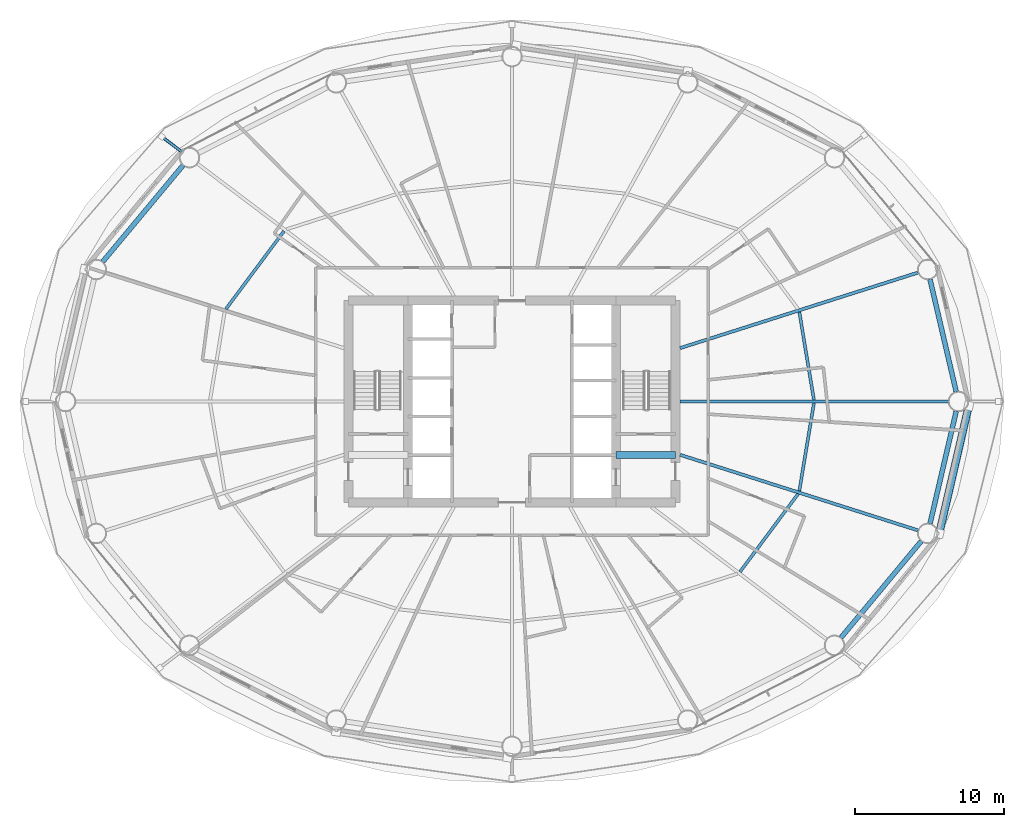
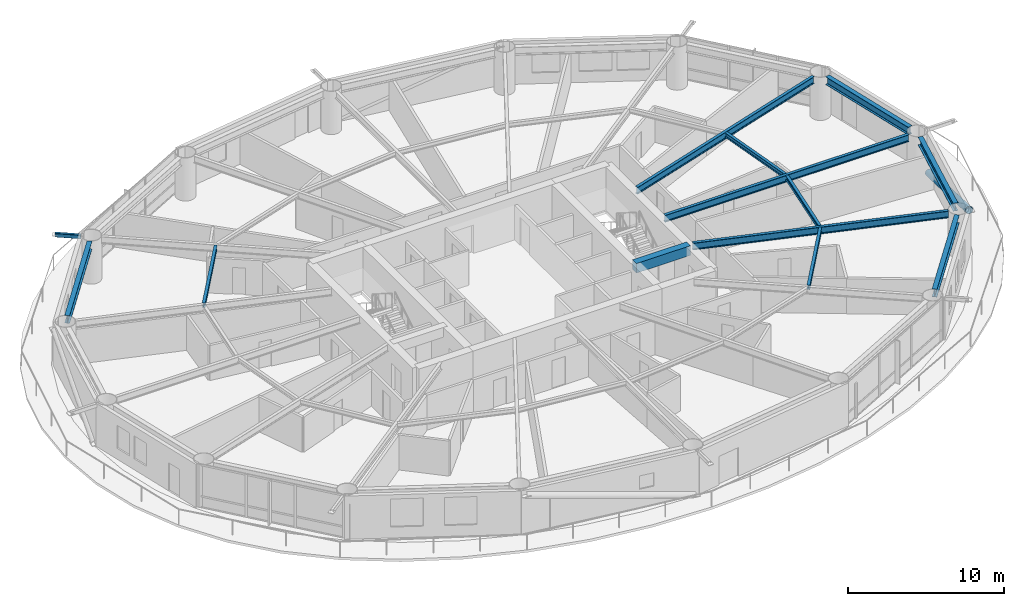
# One storey, part 9 of 26: 12 beams, 2 members.
"""IFC4 building model written with IfcOpenShell, lengths in metres."""

from ifc_helpers import new_model, si_unit, direction, frame, origin, origin_2d, place, context, subcontext, project, spatial, rectangle, hollow_rectangle, hollow_circle, i_section, extrude, material, material_profile, profile_set, type_object, element, save


model = new_model("IFC4")

# Units and contexts
model_context = context("Model", 3, precision=1e-05, world=origin(), true_north=direction((0.0, 1.0)))
body_context = subcontext(model_context, "Body", "Model", "MODEL_VIEW")
ifc_project = project(units=[si_unit("LENGTHUNIT", "METRE"), si_unit("AREAUNIT", "SQUARE_METRE"), si_unit("VOLUMEUNIT", "CUBIC_METRE"), si_unit("PLANEANGLEUNIT", "RADIAN"), si_unit("MASSUNIT", "GRAM", prefix="KILO")], contexts=[model_context])

# Site, building, storey
site_placement = place(None, origin())
site = spatial("IfcSite", under=ifc_project, at=site_placement, CompositionType="ELEMENT")
building_placement = place(site_placement, origin())
building = spatial("IfcBuilding", under=site, at=building_placement, Name="Sarneth Arch Tower", CompositionType="ELEMENT")
storey_placement = place(building_placement, frame((0.0, 0.0, 57.0)))
storey = spatial("IfcBuildingStorey", under=building, at=storey_placement, Name="L13", CompositionType="ELEMENT", Elevation=57.0)

# Beams
ifc_material_1 = material(Name="Steel S355", Category="steel")
ifc_material_profile_1 = material_profile(ifc_material_1, i_section(OverallWidth=0.2041015625, OverallDepth=0.35009765625, WebThickness=0.008544921875, FlangeThickness=0.01513671875, FilletRadius=0.014892578125, at=origin_2d()), Name="W360x72")
ifc_profile_set_1 = profile_set([ifc_material_profile_1], Name="Steel S355")
beam_type_1 = type_object("IfcBeamType", Name="BM-JOIST-360D", PredefinedType="JOIST", material=ifc_profile_set_1)
beam_1_placement = place(storey_placement, frame((68.312255859375, 42.10546875, 3.205078125), z_axis=(-0.163917352659, 0.986474075431, 0.0), x_axis=(-0.986474075431, -0.163917352659, 0.0)))
element("IfcBeam", 1, at=beam_1_placement, inside=storey, type_object=beam_type_1, Name="L13 Secondary floor joist 01", PredefinedType="JOIST", context=body_context, shape_type="SweptSolid", body=[
    extrude(i_section(OverallWidth=0.2041015625, OverallDepth=0.35009765625, WebThickness=0.008544921875, FlangeThickness=0.01513671875, FilletRadius=0.014892578125, at=origin_2d()), origin(), (0.0, 0.0, 1.0), 6.000732421875),
])
for number, where, z_axis, x_axis, name in (
    (2, (32.661865234375, 53.463134765625, 3.205078125), (-0.597453564101, -0.801903509621, 0.0), (0.801903509621, -0.597453564101, 0.0), "L13 Secondary floor joist 07"),
    (3, (63.338134765625, 30.536865234375, 3.205078125), (0.597453564101, 0.801903509621, 0.0), (-0.801903509621, 0.597453564101, 0.0), "L13 Secondary floor joist 15"),
):
    element("IfcBeam", number, at=place(storey_placement, frame(where, z_axis=z_axis, x_axis=x_axis)), inside=storey, type_object=beam_type_1, Name=name, PredefinedType="JOIST", context=body_context, shape_type="SweptSolid", body=[
        extrude(i_section(OverallWidth=0.2041015625, OverallDepth=0.35009765625, WebThickness=0.008544921875, FlangeThickness=0.01513671875, FilletRadius=0.014892578125, at=origin_2d()), origin(), (0.0, 0.0, 1.0), 6.542724609375),
    ])
beam_2_placement = place(storey_placement, frame((67.32861328125, 35.974853515625, 3.205078125), z_axis=(0.163917352659, 0.986474075431, 0.0), x_axis=(-0.986474075431, 0.163917352659, 0.0)))
element("IfcBeam", 4, at=beam_2_placement, inside=storey, type_object=beam_type_1, Name="L13 Secondary floor joist 16", PredefinedType="JOIST", context=body_context, shape_type="SweptSolid", body=[
    extrude(i_section(OverallWidth=0.2041015625, OverallDepth=0.35009765625, WebThickness=0.008544921875, FlangeThickness=0.01513671875, FilletRadius=0.014892578125, at=origin_2d()), origin(), (0.0, 0.0, 1.0), 6.000732421875),
])
ifc_material_2 = material(Name="Concrete C50/60", Category="concrete")
ifc_material_profile_2 = material_profile(ifc_material_2, rectangle(XDim=0.5, YDim=0.75, at=origin_2d()), Name="RC-500x750")
ifc_profile_set_2 = profile_set([ifc_material_profile_2], Name="Concrete C50/60")
beam_type_2 = type_object("IfcBeamType", Name="BM-LINTEL-RC", PredefinedType="LINTEL", material=ifc_profile_set_2)
beam_3_placement = place(storey_placement, frame((55.0, 38.39990234375, 3.0048828125), z_axis=(1.0, 0.0, 0.0), x_axis=(0.0, 1.0, 0.0)))
element("IfcBeam", 5, at=beam_3_placement, inside=storey, type_object=beam_type_2, Name="L13 Core coupling lintel E", PredefinedType="LINTEL", context=body_context, shape_type="SweptSolid", body=[
    extrude(rectangle(XDim=0.5, YDim=0.75, at=origin_2d()), origin(), (0.0, 0.0, 1.0), 4.0),
])
ifc_material_3 = material(Name="Steel S355", Category="steel")
ifc_material_profile_3 = material_profile(ifc_material_3, i_section(OverallWidth=0.214111328125, OverallDepth=0.549072265625, WebThickness=0.0146484375, FlangeThickness=0.023681640625, FilletRadius=0.01806640625, at=origin_2d()), Name="W530x138")
ifc_profile_set_3 = profile_set([ifc_material_profile_3], Name="Steel S355")
beam_type_3 = type_object("IfcBeamType", Name="BM-RAD-530A", PredefinedType="BEAM", material=ifc_profile_set_3)
beam_4_placement = place(storey_placement, frame((59.300048828125, 42.0, 3.10546875), z_axis=(1.0, 0.0, 0.0), x_axis=(0.0, 1.0, 0.0)))
element("IfcBeam", 6, at=beam_4_placement, inside=storey, type_object=beam_type_3, Name="L13 Radial floor girder 01", PredefinedType="BEAM", context=body_context, shape_type="SweptSolid", body=[
    extrude(i_section(OverallWidth=0.214111328125, OverallDepth=0.549072265625, WebThickness=0.0146484375, FlangeThickness=0.023681640625, FilletRadius=0.01806640625, at=origin_2d()), origin(), (0.0, 0.0, 1.0), 18.059814453125),
])
for number, where, z_axis, x_axis, name in (
    (7, (59.300048828125, 45.58740234375, 3.10546875), (0.953119945629, 0.302592744864, 0.0), (-0.302592744864, 0.953119945629, 0.0), "L13 Radial floor girder 02"),
    (8, (59.300048828125, 38.41259765625, 3.10546875), (0.953119945629, -0.302592744864, 0.0), (0.302592744864, 0.953119945629, 0.0), "L13 Radial floor girder 16"),
):
    element("IfcBeam", number, at=place(storey_placement, frame(where, z_axis=z_axis, x_axis=x_axis)), inside=storey, type_object=beam_type_3, Name=name, PredefinedType="BEAM", context=body_context, shape_type="SweptSolid", body=[
        extrude(i_section(OverallWidth=0.214111328125, OverallDepth=0.549072265625, WebThickness=0.0146484375, FlangeThickness=0.023681640625, FilletRadius=0.01806640625, at=origin_2d()), origin(), (0.0, 0.0, 1.0), 16.810302734375),
    ])
ifc_material_4 = material(Name="Steel S355", Category="steel")
ifc_material_profile_4 = material_profile(ifc_material_4, i_section(OverallWidth=0.326904296875, OverallDepth=0.6220703125, WebThickness=0.015380859375, FlangeThickness=0.0244140625, FilletRadius=0.01904296875, at=origin_2d()), Name="W610x195")
ifc_profile_set_4 = profile_set([ifc_material_profile_4], Name="Steel S355")
beam_type_4 = type_object("IfcBeamType", Name="BM-SPAN-610A", PredefinedType="SPANDREL", material=ifc_profile_set_4)
beam_5_placement = place(storey_placement, frame((77.881591796875, 42.657470703125, 3.069091796875), z_axis=(-0.227001042423, 0.973894515201, 0.0), x_axis=(-0.973894515201, -0.227001042423, 0.0)))
element("IfcBeam", 9, at=beam_5_placement, inside=storey, type_object=beam_type_4, Name="L13 Perimeter spandrel beam 01", PredefinedType="SPANDREL", context=body_context, shape_type="SweptSolid", body=[
    extrude(i_section(OverallWidth=0.326904296875, OverallDepth=0.6220703125, WebThickness=0.015380859375, FlangeThickness=0.0244140625, FilletRadius=0.01904296875, at=origin_2d()), origin(), (0.0, 0.0, 1.0), 7.76611328125),
])
for number, where, z_axis, x_axis, name in (
    (10, (25.871337890625, 57.88623046875, 3.069091796875), (-0.639979646835, -0.768391860731, 0.0), (0.768391860731, -0.639979646835, 0.0), "L13 Perimeter spandrel beam 07"),
    (11, (70.128662109375, 26.11376953125, 3.069091796875), (0.639979646835, 0.768391860731, 0.0), (-0.768391860731, 0.639979646835, 0.0), "L13 Perimeter spandrel beam 15"),
):
    element("IfcBeam", number, at=place(storey_placement, frame(where, z_axis=z_axis, x_axis=x_axis)), inside=storey, type_object=beam_type_4, Name=name, PredefinedType="SPANDREL", context=body_context, shape_type="SweptSolid", body=[
        extrude(i_section(OverallWidth=0.326904296875, OverallDepth=0.6220703125, WebThickness=0.015380859375, FlangeThickness=0.0244140625, FilletRadius=0.01904296875, at=origin_2d()), origin(), (0.0, 0.0, 1.0), 8.4453125),
    ])
beam_6_placement = place(storey_placement, frame((76.11865234375, 33.779052734375, 3.069091796875), z_axis=(0.227001042423, 0.973894515201, 0.0), x_axis=(-0.973894515201, 0.227001042423, 0.0)))
element("IfcBeam", 12, at=beam_6_placement, inside=storey, type_object=beam_type_4, Name="L13 Perimeter spandrel beam 16", PredefinedType="SPANDREL", context=body_context, shape_type="SweptSolid", body=[
    extrude(i_section(OverallWidth=0.326904296875, OverallDepth=0.6220703125, WebThickness=0.015380859375, FlangeThickness=0.0244140625, FilletRadius=0.01904296875, at=origin_2d()), origin(), (0.0, 0.0, 1.0), 7.76611328125),
])

# Members
ifc_material_5 = material(Name="Steel S355", Category="steel")
ifc_material_profile_5 = material_profile(ifc_material_5, hollow_rectangle(XDim=0.199951171875, YDim=0.300048828125, WallThickness=0.012451171875, InnerFilletRadius=0.018798828125, OuterFilletRadius=0.03125, at=origin_2d()), Name="RHS300x200x12.5")
ifc_profile_set_5 = profile_set([ifc_material_profile_5], Name="Steel S355")
member_type_1 = type_object("IfcMemberType", Name="MEM-CANT-STRUT", PredefinedType="STRUT", material=ifc_profile_set_5)
member_1_placement = place(storey_placement, frame((25.764892578125, 58.81201171875, 3.219970703125), z_axis=(-0.797671374604, 0.603092346277, 0.0), x_axis=(-0.603092346277, -0.797671374604, 0.0)))
element("IfcMember", 13, at=member_1_placement, inside=storey, type_object=member_type_1, Name="L13 Balcony cantilever bracket 07", PredefinedType="STRUT", context=body_context, shape_type="SweptSolid", body=[
    extrude(hollow_rectangle(XDim=0.199951171875, YDim=0.300048828125, WallThickness=0.012451171875, InnerFilletRadius=0.018798828125, OuterFilletRadius=0.03125, at=origin_2d()), origin(), (0.0, 0.0, 1.0), 1.6650390625),
])
ifc_material_6 = material(Name="Steel S355", Category="steel")
ifc_material_profile_6 = material_profile(ifc_material_6, hollow_circle(Radius=0.25390625, WallThickness=0.01611328125, at=origin_2d()), Name="CHS508x16")
ifc_profile_set_6 = profile_set([ifc_material_profile_6], Name="Steel S355")
member_type_2 = type_object("IfcMemberType", Name="MEM-DIAG-BR1", PredefinedType="BRACE", material=ifc_profile_set_6)
member_2_placement = place(storey_placement, frame((78.725341796875, 41.707763671875, 0.02001953125), z_axis=(-0.213332307958, -0.922814312474, 0.320785085492), x_axis=(0.974304339016, -0.225235554419, 0.0)))
element("IfcMember", 14, at=member_2_placement, inside=storey, type_object=member_type_2, Name="L13 Perimeter frame diagonal 16", PredefinedType="BRACE", context=body_context, shape_type="SweptSolid", body=[
    extrude(hollow_circle(Radius=0.25390625, WallThickness=0.01611328125, at=origin_2d()), origin(), (0.0, 0.0, 1.0), 9.31103515625),
])

save(model, "model.ifc")
